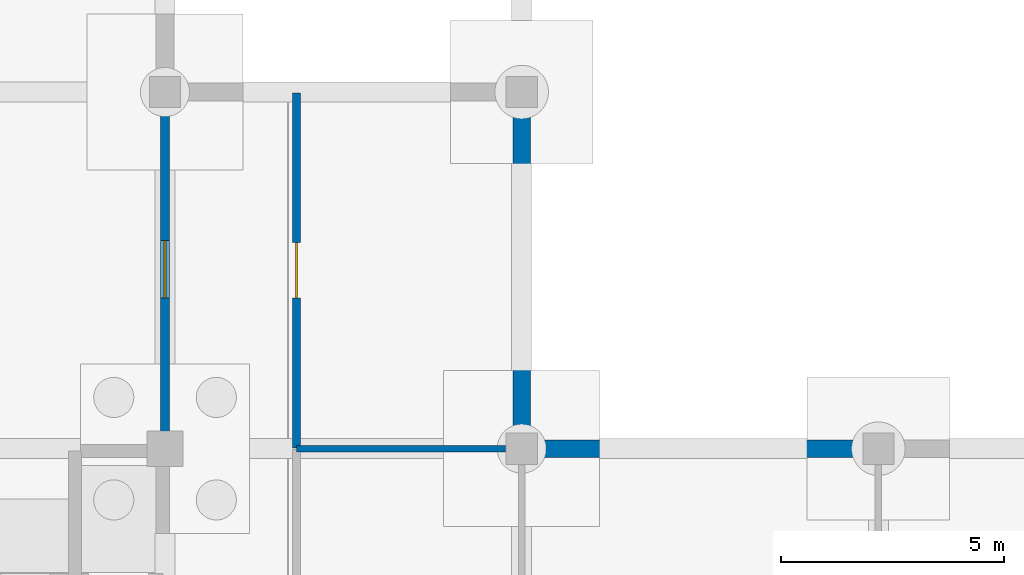
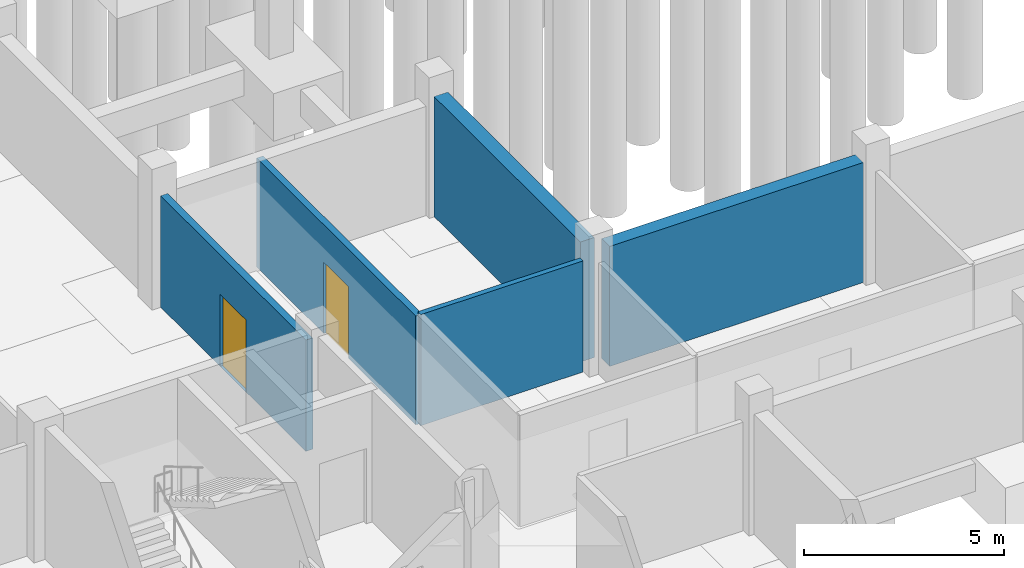
# One storey, part 31 of 48: 5 walls, 2 doors, 2 openings.
"""IFC4 building model written with IfcOpenShell, lengths in metres."""

from ifc_helpers import new_model, si_unit, derived_unit, direction, frame, frame_2d, origin, place, context, subcontext, project, spatial, rectangle, extrude, material, layer, layer_set, type_object, element, fill, save


model = new_model("IFC4")

# Units and contexts
model_context = context("Model", 3, precision=1e-05, world=origin(), true_north=direction((0.0, 1.0)))
body_context = subcontext(model_context, "Body", "Model", "MODEL_VIEW")
ifc_project = project(units=[si_unit("LENGTHUNIT", "METRE"), si_unit("AREAUNIT", "SQUARE_METRE"), si_unit("VOLUMEUNIT", "CUBIC_METRE"), si_unit("PLANEANGLEUNIT", "RADIAN"), si_unit("MASSUNIT", "GRAM", prefix="KILO"), derived_unit("THERMALTRANSMITTANCEUNIT", [(si_unit("MASSUNIT", "GRAM", prefix="KILO"), 1), (si_unit("TIMEUNIT", "SECOND"), -3), (si_unit("THERMODYNAMICTEMPERATUREUNIT", "KELVIN"), -1)])], contexts=[model_context])

# Site, building, storey
site_placement = place(None, origin())
site = spatial("IfcSite", under=ifc_project, at=site_placement, CompositionType="ELEMENT")
building_placement = place(site_placement, origin())
building = spatial("IfcBuilding", under=site, at=building_placement, Name="Veyamyaing Civic Hall", CompositionType="ELEMENT")
storey_placement = place(building_placement, frame((0.0, 0.0, -4.2900390625)))
storey = spatial("IfcBuildingStorey", under=building, at=storey_placement, Name="B1", CompositionType="ELEMENT", Elevation=-4.2900390625)

# Walls
ifc_material_1 = material(Name="Concrete C40/50", Category="concrete")
ifc_layer_1 = layer(ifc_material_1, 0.39990234375, Name="Concrete C40/50")
ifc_layer_set_1 = layer_set([ifc_layer_1], Name="Concrete C40/50")
wall_type_1 = type_object("IfcWallType", Name="WT-01", PredefinedType="SHEAR", material=ifc_layer_set_1)
for number, where, z_axis, x_axis, name in (
    (1, (120.0, 56.3349609375, 0.0), (0.0, 0.0, 1.0), (0.0, 1.0, 0.0), "Basement retaining wall WT-01 E 15.8"),
    (2, (120.3349609375, 56.0, 0.0), (0.0, 0.0, 1.0), (1.0, 0.0, 0.0), "Basement retaining wall WT-01 N 16.7"),
):
    element("IfcWall", number, at=place(storey_placement, frame(where, z_axis=z_axis, x_axis=x_axis)), inside=storey, type_object=wall_type_1, Name=name, PredefinedType="SHEAR", context=body_context, shape_type="SweptSolid", body=[
        extrude(rectangle(XDim=7.330078125, YDim=0.39990234375, at=frame_2d((3.6650390625, 0.0))), origin(), (0.0, 0.0, 1.0), 3.6640625),
    ])

# Wall, opening, door
ifc_layer_2 = layer(ifc_material_1, 0.199951171875, Name="Concrete C40/50")
ifc_layer_set_2 = layer_set([ifc_layer_2], Name="Concrete C40/50")
wall_type_2 = type_object("IfcWallType", Name="WT-06", PredefinedType="PARTITIONING", material=ifc_layer_set_2)
wall_1_placement = place(storey_placement, frame((112.0, 56.389892578125, 0.0), z_axis=(0.0, 0.0, 1.0), x_axis=(0.0, 1.0, 0.0)))
wall_1 = element("IfcWall", 3, at=wall_1_placement, inside=storey, type_object=wall_type_2, Name="Interior partition wall WT-06 B1.58", PredefinedType="PARTITIONING", context=body_context, shape_type="SweptSolid", body=[
    extrude(rectangle(XDim=7.27001953125, YDim=0.199951171875, at=frame_2d((3.635009765625, 0.0))), origin(), (0.0, 0.0, 1.0), 3.402099609375),
])
opening_1_placement = place(wall_1_placement, frame((2.985107421875, 0.0, 0.0)))
opening_1 = element("IfcOpeningElement", 4, at=opening_1_placement, cuts=wall_1, Name="Opening D-18", PredefinedType="OPENING", context=body_context, shape_type="SweptSolid", body=[
    extrude(rectangle(XDim=1.300048828125, YDim=2.199951171875, at=frame_2d((0.64990234375, 1.10009765625))), frame((0.0, 0.10986328125, 0.0), z_axis=(0.0, -1.0, 0.0), x_axis=(1.0, 0.0, 0.0)), (0.0, 0.0, 1.0), 0.219970703125),
])
ifc_material_2 = material(Name="Anodised aluminium 6063-T6", Category="aluminium")
door_type_1 = type_object("IfcDoorType", Name="D-18", OperationType="DOUBLE_DOOR_SINGLE_SWING", PredefinedType="DOOR", material=ifc_material_2)
door_1_placement = place(opening_1_placement, origin())
door_1 = element("IfcDoor", 5, at=door_1_placement, inside=storey, type_object=door_type_1, Name="Interior door D-18 B1.58", OperationType="DOUBLE_DOOR_SINGLE_SWING", OverallHeight=2.199951171875, OverallWidth=1.300048828125, PredefinedType="DOOR", context=body_context, shape_type="SweptSolid", body=[
    extrude(rectangle(XDim=1.300048828125, YDim=2.199951171875, at=frame_2d((0.64990234375, 1.10009765625))), frame((0.0, 0.02490234375, 0.0), z_axis=(0.0, -1.0, 0.0), x_axis=(1.0, 0.0, 0.0)), (0.0, 0.0, 1.0), 0.050048828125),
])
fill(opening_1, door_1)

# Wall
ifc_material_3 = material(Name="Gypsum board on steel stud", Category="steel")
ifc_layer_3 = layer(ifc_material_3, 0.14990234375, Name="Gypsum board on steel stud")
ifc_layer_set_3 = layer_set([ifc_layer_3], Name="Gypsum board on steel stud")
wall_type_3 = type_object("IfcWallType", Name="WT-08", PredefinedType="PARTITIONING", material=ifc_layer_set_3)
wall_2_placement = place(storey_placement, frame((114.949951171875, 56.0, 0.0), z_axis=(0.0, 0.0, 1.0), x_axis=(1.0, 0.0, 0.0)))
element("IfcWall", 6, at=wall_2_placement, inside=storey, type_object=wall_type_3, Name="Gallery office end partition WT-08 B1.37.1", PredefinedType="PARTITIONING", context=body_context, shape_type="SweptSolid", body=[
    extrude(rectangle(XDim=4.68994140625, YDim=0.14990234375, at=frame_2d((2.344970703125, 0.0))), origin(), (0.0, 0.0, 1.0), 3.39306640625),
])

# Wall, opening, door
ifc_material_4 = material(Name="Gypsum board on double acoustic stud")
ifc_layer_4 = layer(ifc_material_4, 0.18505859375, Name="Gypsum board on double acoustic stud")
ifc_layer_set_4 = layer_set([ifc_layer_4], Name="Gypsum board on double acoustic stud")
wall_type_4 = type_object("IfcWallType", Name="WT-19", PredefinedType="PARTITIONING", material=ifc_layer_set_4)
wall_3_placement = place(storey_placement, frame((114.949951171875, 56.02001953125, 0.0), z_axis=(0.0, 0.0, 1.0), x_axis=(0.0, 1.0, 0.0)))
wall_3 = element("IfcWall", 7, at=wall_3_placement, inside=storey, type_object=wall_type_4, Name="Corridor gallery partition WT-19 B1.38.1", PredefinedType="PARTITIONING", context=body_context, shape_type="SweptSolid", body=[
    extrude(rectangle(XDim=7.9599609375, YDim=0.18505859375, at=frame_2d((3.97998046875, 0.0))), origin(), (0.0, 0.0, 1.0), 3.325927734375),
])
opening_2_placement = place(wall_3_placement, frame((3.35498046875, 0.0, 0.0)))
opening_2 = element("IfcOpeningElement", 8, at=opening_2_placement, cuts=wall_3, Name="Opening D-29", PredefinedType="OPENING", context=body_context, shape_type="SweptSolid", body=[
    extrude(rectangle(XDim=1.25, YDim=2.179931640625, at=frame_2d((0.625, 1.08984375))), frame((0.0, 0.1025390625, 0.0), z_axis=(0.0, -1.0, 0.0), x_axis=(1.0, 0.0, 0.0)), (0.0, 0.0, 1.0), 0.205078125),
])
ifc_material_5 = material(Name="Teak-veneered acoustic timber", Category="wood")
door_type_2 = type_object("IfcDoorType", Name="D-29", OperationType="NOTDEFINED", PredefinedType="DOOR", material=ifc_material_5)
door_2_placement = place(opening_2_placement, frame((1.25, 0.0, 0.0), z_axis=(0.0, 0.0, 1.0), x_axis=(-1.0, 0.0, 0.0)))
door_2 = element("IfcDoor", 9, at=door_2_placement, inside=storey, type_object=door_type_2, Name="Gallery office door D-29 B1.38", OperationType="SINGLE_SWING_RIGHT", OverallHeight=2.179931640625, OverallWidth=1.25, PredefinedType="DOOR", context=body_context, shape_type="SweptSolid", body=[
    extrude(rectangle(XDim=1.25, YDim=2.179931640625, at=frame_2d((0.625, 1.08984375))), frame((0.0, 0.02490234375, 0.0), z_axis=(0.0, -1.0, 0.0), x_axis=(1.0, 0.0, 0.0)), (0.0, 0.0, 1.0), 0.050048828125),
])
fill(opening_2, door_2)

save(model, "model.ifc")
